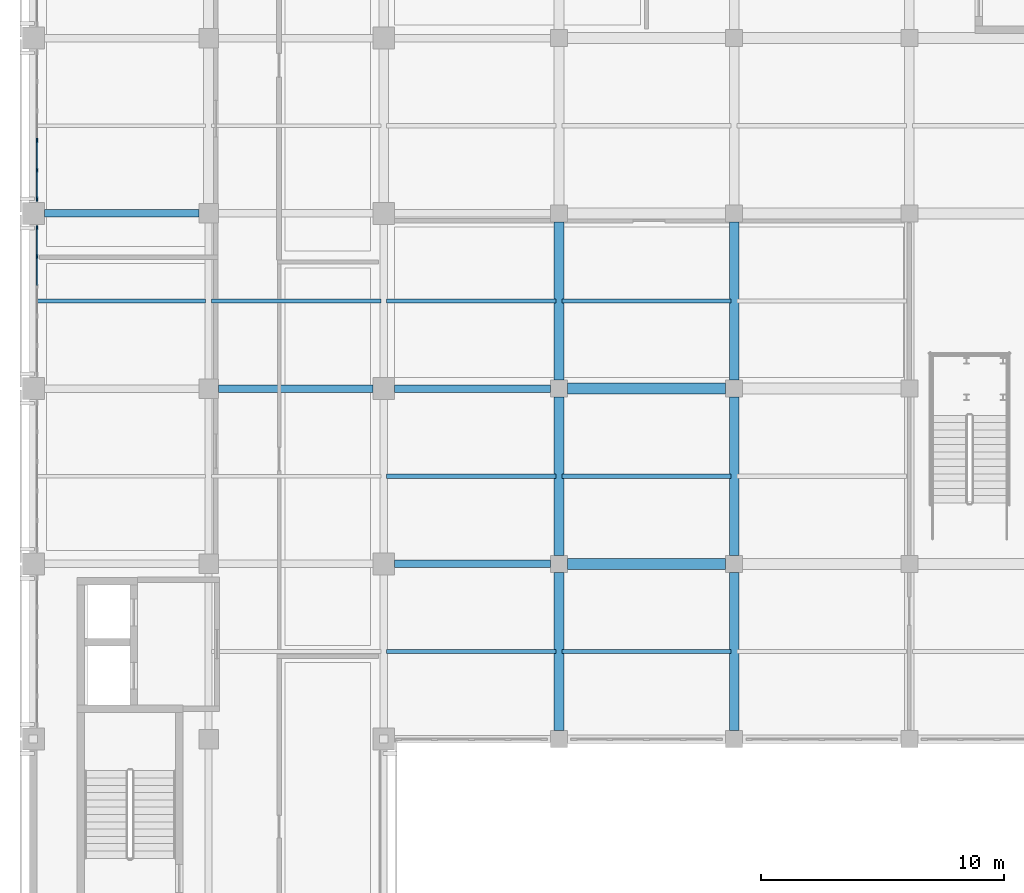
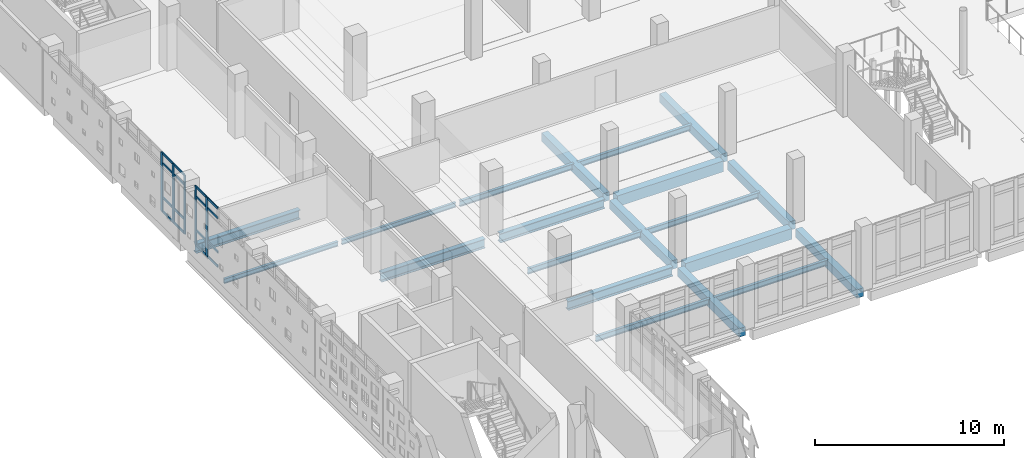
# One storey, part 14 of 62: 21 members, 20 beams, 2 elements without a shape of their own.
"""IFC4 building model written with IfcOpenShell, lengths in metres."""

from ifc_helpers import new_model, si_unit, direction, frame, origin, origin_2d, place, context, subcontext, project, spatial, rectangle, i_section, extrude, material, layer, layer_set, material_profile, profile_set, type_object, element, aggregate, save


model = new_model("IFC4")

# Units and contexts
model_context = context("Model", 3, precision=1e-05, world=origin(), true_north=direction((0.0, 1.0)))
body_context = subcontext(model_context, "Body", "Model", "MODEL_VIEW")
ifc_project = project(units=[si_unit("LENGTHUNIT", "METRE"), si_unit("AREAUNIT", "SQUARE_METRE"), si_unit("VOLUMEUNIT", "CUBIC_METRE"), si_unit("PLANEANGLEUNIT", "RADIAN"), si_unit("MASSUNIT", "GRAM", prefix="KILO")], contexts=[model_context])

# Site, building, storey
site_placement = place(None, origin())
site = spatial("IfcSite", under=ifc_project, at=site_placement, CompositionType="ELEMENT")
building_placement = place(site_placement, origin())
building = spatial("IfcBuilding", under=site, at=building_placement, Name="Valkovuoma Quantum and Materials Research Institute", CompositionType="ELEMENT")
storey_placement = place(building_placement, frame((0.0, 0.0, 8.9599609375)))
storey = spatial("IfcBuildingStorey", under=building, at=storey_placement, Name="L02", CompositionType="ELEMENT", Elevation=8.9599609375)

# Beams
ifc_material_1 = material(Name="Steel S355J2", Category="steel")
ifc_material_profile_1 = material_profile(ifc_material_1, i_section(OverallWidth=0.300048828125, OverallDepth=0.60009765625, WebThickness=0.015380859375, FlangeThickness=0.030029296875, FilletRadius=0.027099609375, at=origin_2d()), Name="Steel S355J2")
ifc_profile_set_1 = profile_set([ifc_material_profile_1], Name="Steel S355J2")
beam_type_1 = type_object("IfcBeamType", Name="Beam-B-HEB600", PredefinedType="BEAM", material=ifc_profile_set_1)
beam_1_placement = place(storey_placement, frame((14.85009765625, 43.199951171875, -0.64990234375), z_axis=(1.0, 0.0, 0.0), x_axis=(0.0, 1.0, 0.0)))
element("IfcBeam", 1, at=beam_1_placement, inside=storey, type_object=beam_type_1, Name="L02 beam X-1024", PredefinedType="BEAM", context=body_context, shape_type="SweptSolid", body=[
    extrude(i_section(OverallWidth=0.300048828125, OverallDepth=0.60009765625, WebThickness=0.015380859375, FlangeThickness=0.030029296875, FilletRadius=0.027099609375, at=origin_2d()), origin(), (0.0, 0.0, 1.0), 6.39990234375),
])
beam_2_placement = place(storey_placement, frame((7.60009765625, 50.39990234375, -0.64990234375), z_axis=(1.0, 0.0, 0.0), x_axis=(0.0, 1.0, 0.0)))
element("IfcBeam", 2, at=beam_2_placement, inside=storey, type_object=beam_type_1, Name="L02 beam X-1035", PredefinedType="BEAM", context=body_context, shape_type="SweptSolid", body=[
    extrude(i_section(OverallWidth=0.300048828125, OverallDepth=0.60009765625, WebThickness=0.015380859375, FlangeThickness=0.030029296875, FilletRadius=0.027099609375, at=origin_2d()), origin(), (0.0, 0.0, 1.0), 6.349853515625),
])
beam_3_placement = place(storey_placement, frame((14.85009765625, 50.39990234375, -0.64990234375), z_axis=(1.0, 0.0, 0.0), x_axis=(0.0, 1.0, 0.0)))
element("IfcBeam", 3, at=beam_3_placement, inside=storey, type_object=beam_type_1, Name="L02 beam X-1036", PredefinedType="BEAM", context=body_context, shape_type="SweptSolid", body=[
    extrude(i_section(OverallWidth=0.300048828125, OverallDepth=0.60009765625, WebThickness=0.015380859375, FlangeThickness=0.030029296875, FilletRadius=0.027099609375, at=origin_2d()), origin(), (0.0, 0.0, 1.0), 6.39990234375),
])
beam_4_placement = place(storey_placement, frame((0.449951171875, 57.60009765625, -0.64990234375), z_axis=(1.0, 0.0, 0.0), x_axis=(0.0, 1.0, 0.0)))
element("IfcBeam", 4, at=beam_4_placement, inside=storey, type_object=beam_type_1, Name="L02 beam X-1045", PredefinedType="BEAM", context=body_context, shape_type="SweptSolid", body=[
    extrude(i_section(OverallWidth=0.300048828125, OverallDepth=0.60009765625, WebThickness=0.015380859375, FlangeThickness=0.030029296875, FilletRadius=0.027099609375, at=origin_2d()), origin(), (0.0, 0.0, 1.0), 6.35009765625),
])
ifc_material_2 = material(Name="Steel S355J2", Category="steel")
ifc_material_profile_2 = material_profile(ifc_material_2, i_section(OverallWidth=0.14990234375, OverallDepth=0.300048828125, WebThickness=0.007080078125, FlangeThickness=0.0107421875, FilletRadius=0.014892578125, at=origin_2d()), Name="Steel S355J2")
ifc_profile_set_2 = profile_set([ifc_material_profile_2], Name="Steel S355J2")
beam_type_2 = type_object("IfcBeamType", Name="Beam-B-JST300", PredefinedType="JOIST", material=ifc_profile_set_2)
for number, where, z_axis, x_axis, name in (
    (5, (0.1201171875, 54.0, -0.5), (1.0, 0.0, 0.0), (0.0, 1.0, 0.0), "L02 floor joist 1330"),
    (6, (7.320068359375, 54.0, -0.5), (1.0, 0.0, 0.0), (0.0, 1.0, 0.0), "L02 floor joist 1331"),
):
    element("IfcBeam", number, at=place(storey_placement, frame(where, z_axis=z_axis, x_axis=x_axis)), inside=storey, type_object=beam_type_2, Name=name, PredefinedType="JOIST", context=body_context, shape_type="SweptSolid", body=[
        extrude(i_section(OverallWidth=0.14990234375, OverallDepth=0.300048828125, WebThickness=0.007080078125, FlangeThickness=0.0107421875, FilletRadius=0.014892578125, at=origin_2d()), origin(), (0.0, 0.0, 1.0), 6.9599609375),
    ])
ifc_material_3 = material(Name="Steel S355J2", Category="steel")
ifc_material_profile_3 = material_profile(ifc_material_3, i_section(OverallWidth=0.169921875, OverallDepth=0.360107421875, WebThickness=0.008056640625, FlangeThickness=0.0126953125, FilletRadius=0.01806640625, at=origin_2d()), Name="Steel S355J2")
ifc_profile_set_3 = profile_set([ifc_material_profile_3], Name="Steel S355J2")
beam_type_3 = type_object("IfcBeamType", Name="Beam-B-JST360", PredefinedType="JOIST", material=ifc_profile_set_3)
for number, where, z_axis, x_axis, name in (
    (7, (14.52001953125, 39.60009765625, -0.530029296875), (1.0, 0.0, 0.0), (0.0, 1.0, 0.0), "L02 floor joist 1309"),
    (8, (21.719970703125, 39.60009765625, -0.530029296875), (1.0, 0.0, 0.0), (0.0, 1.0, 0.0), "L02 floor joist 1310"),
    (9, (14.52001953125, 46.800048828125, -0.530029296875), (1.0, 0.0, 0.0), (0.0, 1.0, 0.0), "L02 floor joist 1321"),
    (10, (21.719970703125, 46.800048828125, -0.530029296875), (1.0, 0.0, 0.0), (0.0, 1.0, 0.0), "L02 floor joist 1322"),
    (11, (14.52001953125, 54.0, -0.530029296875), (1.0, 0.0, 0.0), (0.0, 1.0, 0.0), "L02 floor joist 1332"),
    (12, (21.719970703125, 54.0, -0.530029296875), (1.0, 0.0, 0.0), (0.0, 1.0, 0.0), "L02 floor joist 1333"),
):
    element("IfcBeam", number, at=place(storey_placement, frame(where, z_axis=z_axis, x_axis=x_axis)), inside=storey, type_object=beam_type_3, Name=name, PredefinedType="JOIST", context=body_context, shape_type="SweptSolid", body=[
        extrude(i_section(OverallWidth=0.169921875, OverallDepth=0.360107421875, WebThickness=0.008056640625, FlangeThickness=0.0126953125, FilletRadius=0.01806640625, at=origin_2d()), origin(), (0.0, 0.0, 1.0), 6.9599609375),
    ])
ifc_material_4 = material(Name="Concrete C40/50", Category="concrete")
ifc_material_profile_4 = material_profile(ifc_material_4, rectangle(XDim=0.39990234375, YDim=0.550048828125, at=origin_2d()), Name="Concrete C40/50")
ifc_profile_set_4 = profile_set([ifc_material_profile_4], Name="Concrete C40/50")
beam_type_4 = type_object("IfcBeamType", Name="Beam-B-RC550", PredefinedType="BEAM", material=ifc_profile_set_4)
for number, where, z_axis, x_axis, name in (
    (13, (21.60009765625, 36.35009765625, -0.625), (0.0, 1.0, 0.0), (-1.0, 0.0, 0.0), "L02 beam Y-1168"),
    (14, (21.60009765625, 43.550048828125, -0.625), (0.0, 1.0, 0.0), (-1.0, 0.0, 0.0), "L02 beam Y-1169"),
    (15, (21.60009765625, 50.75, -0.625), (0.0, 1.0, 0.0), (-1.0, 0.0, 0.0), "L02 beam Y-1170"),
    (16, (28.800048828125, 36.35009765625, -0.625), (0.0, 1.0, 0.0), (-1.0, 0.0, 0.0), "L02 beam Y-1178"),
    (17, (28.800048828125, 43.550048828125, -0.625), (0.0, 1.0, 0.0), (-1.0, 0.0, 0.0), "L02 beam Y-1179"),
    (18, (28.800048828125, 50.75, -0.625), (0.0, 1.0, 0.0), (-1.0, 0.0, 0.0), "L02 beam Y-1180"),
):
    element("IfcBeam", number, at=place(storey_placement, frame(where, z_axis=z_axis, x_axis=x_axis)), inside=storey, type_object=beam_type_4, Name=name, PredefinedType="BEAM", context=body_context, shape_type="SweptSolid", body=[
        extrude(rectangle(XDim=0.39990234375, YDim=0.550048828125, at=origin_2d()), origin(), (0.0, 0.0, 1.0), 6.5),
    ])
ifc_material_5 = material(Name="Concrete C40/50", Category="concrete")
ifc_material_profile_5 = material_profile(ifc_material_5, rectangle(XDim=0.449951171875, YDim=0.699951171875, at=origin_2d()), Name="Concrete C40/50")
ifc_profile_set_5 = profile_set([ifc_material_profile_5], Name="Concrete C40/50")
beam_type_5 = type_object("IfcBeamType", Name="Beam-B-RC700", PredefinedType="BEAM", material=ifc_profile_set_5)
for number, where, z_axis, x_axis, name in (
    (19, (21.949951171875, 43.199951171875, -0.699951171875), (1.0, 0.0, 0.0), (0.0, 1.0, 0.0), "L02 beam X-1025"),
    (20, (21.949951171875, 50.39990234375, -0.699951171875), (1.0, 0.0, 0.0), (0.0, 1.0, 0.0), "L02 beam X-1037"),
):
    element("IfcBeam", number, at=place(storey_placement, frame(where, z_axis=z_axis, x_axis=x_axis)), inside=storey, type_object=beam_type_5, Name=name, PredefinedType="BEAM", context=body_context, shape_type="SweptSolid", body=[
        extrude(rectangle(XDim=0.449951171875, YDim=0.699951171875, at=origin_2d()), origin(), (0.0, 0.0, 1.0), 6.5),
    ])

# Curtain wall, members
ifc_material_6 = material(Name="Thermally broken aluminium and triple low-E glazing", Category="aluminium")
ifc_layer = layer(ifc_material_6, 0.219970703125)
ifc_layer_set = layer_set([ifc_layer], Name="Thermally broken aluminium and triple low-E glazing")
curtain_wall_type = type_object("IfcCurtainWallType", Name="CW-CW-01", PredefinedType="NOTDEFINED", material=ifc_layer_set)
curtain_wall_1_placement = place(storey_placement, origin())
curtain_wall_1 = element("IfcCurtainWall", 21, at=curtain_wall_1_placement, inside=storey, type_object=curtain_wall_type, Name="L02 curtain wall 023", PredefinedType="NOTDEFINED")
ifc_material_7 = material(Name="Anodised aluminium 6060-T66", Category="aluminium")
ifc_material_profile_6 = material_profile(ifc_material_7, rectangle(XDim=0.06494140625, YDim=0.179931640625, at=origin_2d()), Name="Anodised aluminium 6060-T66")
ifc_profile_set_6 = profile_set([ifc_material_profile_6], Name="Anodised aluminium 6060-T66")
member_type_1 = type_object("IfcMemberType", Name="CWMull-CWM-01", PredefinedType="MULLION", material=ifc_profile_set_6)
member_1_placement = place(storey_placement, frame((0.14990234375, 55.82568359375, 0.0), z_axis=(0.0, 0.0, 1.0), x_axis=(-1.0, 0.0, 0.0)))
member_1 = element("IfcMember", 22, at=member_1_placement, type_object=member_type_1, Name="CW-01 mullion 5", PredefinedType="MULLION", context=body_context, shape_type="SweptSolid", body=[
    extrude(rectangle(XDim=0.06494140625, YDim=0.179931640625, at=origin_2d()), origin(), (0.0, 0.0, 1.0), 3.81005859375),
])
member_2_placement = place(storey_placement, frame((0.14990234375, 57.010498046875, 0.0), z_axis=(0.0, 0.0, 1.0), x_axis=(-1.0, 0.0, 0.0)))
member_2 = element("IfcMember", 23, at=member_2_placement, type_object=member_type_1, Name="CW-01 mullion 6", PredefinedType="MULLION", context=body_context, shape_type="SweptSolid", body=[
    extrude(rectangle(XDim=0.06494140625, YDim=0.179931640625, at=origin_2d()), origin(), (0.0, 0.0, 1.0), 3.81005859375),
])

curtain_wall_2_placement = place(storey_placement, origin())
curtain_wall_2 = element("IfcCurtainWall", 24, at=curtain_wall_2_placement, inside=storey, type_object=curtain_wall_type, Name="L02 curtain wall 024", PredefinedType="NOTDEFINED")
member_3_placement = place(storey_placement, frame((0.14990234375, 58.189697265625, 0.0), z_axis=(0.0, 0.0, 1.0), x_axis=(-1.0, 0.0, 0.0)))
member_3 = element("IfcMember", 25, at=member_3_placement, type_object=member_type_1, Name="CW-01 mullion 1", PredefinedType="MULLION", context=body_context, shape_type="SweptSolid", body=[
    extrude(rectangle(XDim=0.06494140625, YDim=0.179931640625, at=origin_2d()), origin(), (0.0, 0.0, 1.0), 3.81005859375),
])
member_4_placement = place(storey_placement, frame((0.14990234375, 59.374267578125, 0.0), z_axis=(0.0, 0.0, 1.0), x_axis=(-1.0, 0.0, 0.0)))
member_4 = element("IfcMember", 26, at=member_4_placement, type_object=member_type_1, Name="CW-01 mullion 2", PredefinedType="MULLION", context=body_context, shape_type="SweptSolid", body=[
    extrude(rectangle(XDim=0.06494140625, YDim=0.179931640625, at=origin_2d()), origin(), (0.0, 0.0, 1.0), 3.81005859375),
])
member_5_placement = place(storey_placement, frame((0.14990234375, 60.59130859375, 0.0), z_axis=(0.0, 0.0, 1.0), x_axis=(-1.0, 0.0, 0.0)))
member_5 = element("IfcMember", 27, at=member_5_placement, type_object=member_type_1, Name="CW-01 mullion 3", PredefinedType="MULLION", context=body_context, shape_type="SweptSolid", body=[
    extrude(rectangle(XDim=0.06494140625, YDim=0.179931640625, at=origin_2d()), origin(), (0.0, 0.0, 1.0), 3.81005859375),
])

# Member
ifc_material_8 = material(Name="Anodised aluminium 6060-T66", Category="aluminium")
ifc_material_profile_7 = material_profile(ifc_material_8, rectangle(XDim=0.06494140625, YDim=0.139892578125, at=origin_2d()), Name="Anodised aluminium 6060-T66")
ifc_profile_set_7 = profile_set([ifc_material_profile_7], Name="Anodised aluminium 6060-T66")
member_type_2 = type_object("IfcMemberType", Name="CWTran-CWT-01", PredefinedType="USERDEFINED", material=ifc_profile_set_7)
member_6_placement = place(storey_placement, frame((0.14990234375, 54.64111328125, 0.032470703125), z_axis=(0.0, 1.0, 0.0), x_axis=(-1.0, 0.0, 0.0)))
member_6 = element("IfcMember", 28, at=member_6_placement, type_object=member_type_2, Name="CW-01 transom 4.1", ObjectType="TRANSOM", PredefinedType="USERDEFINED", context=body_context, shape_type="SweptSolid", body=[
    extrude(rectangle(XDim=0.06494140625, YDim=0.139892578125, at=origin_2d()), origin(), (0.0, 0.0, 1.0), 1.152099609375),
])

member_7_placement = place(storey_placement, frame((0.14990234375, 54.64111328125, 0.949951171875), z_axis=(0.0, 1.0, 0.0), x_axis=(-1.0, 0.0, 0.0)))
member_7 = element("IfcMember", 29, at=member_7_placement, type_object=member_type_2, Name="CW-01 transom 4.2", ObjectType="TRANSOM", PredefinedType="USERDEFINED", context=body_context, shape_type="SweptSolid", body=[
    extrude(rectangle(XDim=0.06494140625, YDim=0.139892578125, at=origin_2d()), origin(), (0.0, 0.0, 1.0), 1.152099609375),
])

member_8_placement = place(storey_placement, frame((0.14990234375, 54.64111328125, 3.16015625), z_axis=(0.0, 1.0, 0.0), x_axis=(-1.0, 0.0, 0.0)))
member_8 = element("IfcMember", 30, at=member_8_placement, type_object=member_type_2, Name="CW-01 transom 4.3", ObjectType="TRANSOM", PredefinedType="USERDEFINED", context=body_context, shape_type="SweptSolid", body=[
    extrude(rectangle(XDim=0.06494140625, YDim=0.139892578125, at=origin_2d()), origin(), (0.0, 0.0, 1.0), 1.152099609375),
])

member_9_placement = place(storey_placement, frame((0.14990234375, 54.64111328125, 3.777587890625), z_axis=(0.0, 1.0, 0.0), x_axis=(-1.0, 0.0, 0.0)))
member_9 = element("IfcMember", 31, at=member_9_placement, type_object=member_type_2, Name="CW-01 transom 4.4", ObjectType="TRANSOM", PredefinedType="USERDEFINED", context=body_context, shape_type="SweptSolid", body=[
    extrude(rectangle(XDim=0.06494140625, YDim=0.139892578125, at=origin_2d()), origin(), (0.0, 0.0, 1.0), 1.152099609375),
])

member_10_placement = place(storey_placement, frame((0.14990234375, 55.858154296875, 0.032470703125), z_axis=(0.0, 1.0, 0.0), x_axis=(-1.0, 0.0, 0.0)))
member_10 = element("IfcMember", 32, at=member_10_placement, type_object=member_type_2, Name="CW-01 transom 5.1", ObjectType="TRANSOM", PredefinedType="USERDEFINED", context=body_context, shape_type="SweptSolid", body=[
    extrude(rectangle(XDim=0.06494140625, YDim=0.139892578125, at=origin_2d()), origin(), (0.0, 0.0, 1.0), 1.11962890625),
])

member_11_placement = place(storey_placement, frame((0.14990234375, 55.858154296875, 0.949951171875), z_axis=(0.0, 1.0, 0.0), x_axis=(-1.0, 0.0, 0.0)))
member_11 = element("IfcMember", 33, at=member_11_placement, type_object=member_type_2, Name="CW-01 transom 5.2", ObjectType="TRANSOM", PredefinedType="USERDEFINED", context=body_context, shape_type="SweptSolid", body=[
    extrude(rectangle(XDim=0.06494140625, YDim=0.139892578125, at=origin_2d()), origin(), (0.0, 0.0, 1.0), 1.11962890625),
])

member_12_placement = place(storey_placement, frame((0.14990234375, 55.858154296875, 3.16015625), z_axis=(0.0, 1.0, 0.0), x_axis=(-1.0, 0.0, 0.0)))
member_12 = element("IfcMember", 34, at=member_12_placement, type_object=member_type_2, Name="CW-01 transom 5.3", ObjectType="TRANSOM", PredefinedType="USERDEFINED", context=body_context, shape_type="SweptSolid", body=[
    extrude(rectangle(XDim=0.06494140625, YDim=0.139892578125, at=origin_2d()), origin(), (0.0, 0.0, 1.0), 1.11962890625),
])

member_13_placement = place(storey_placement, frame((0.14990234375, 55.858154296875, 3.777587890625), z_axis=(0.0, 1.0, 0.0), x_axis=(-1.0, 0.0, 0.0)))
member_13 = element("IfcMember", 35, at=member_13_placement, type_object=member_type_2, Name="CW-01 transom 5.4", ObjectType="TRANSOM", PredefinedType="USERDEFINED", context=body_context, shape_type="SweptSolid", body=[
    extrude(rectangle(XDim=0.06494140625, YDim=0.139892578125, at=origin_2d()), origin(), (0.0, 0.0, 1.0), 1.11962890625),
])

aggregate(curtain_wall_1, [member_1, member_2, member_6, member_7, member_8, member_9, member_10, member_11, member_12, member_13])

member_14_placement = place(storey_placement, frame((0.14990234375, 58.22216796875, 0.032470703125), z_axis=(0.0, 1.0, 0.0), x_axis=(-1.0, 0.0, 0.0)))
member_14 = element("IfcMember", 36, at=member_14_placement, type_object=member_type_2, Name="CW-01 transom 1.1", ObjectType="TRANSOM", PredefinedType="USERDEFINED", context=body_context, shape_type="SweptSolid", body=[
    extrude(rectangle(XDim=0.06494140625, YDim=0.139892578125, at=origin_2d()), origin(), (0.0, 0.0, 1.0), 1.11962890625),
])

member_15_placement = place(storey_placement, frame((0.14990234375, 58.22216796875, 0.949951171875), z_axis=(0.0, 1.0, 0.0), x_axis=(-1.0, 0.0, 0.0)))
member_15 = element("IfcMember", 37, at=member_15_placement, type_object=member_type_2, Name="CW-01 transom 1.2", ObjectType="TRANSOM", PredefinedType="USERDEFINED", context=body_context, shape_type="SweptSolid", body=[
    extrude(rectangle(XDim=0.06494140625, YDim=0.139892578125, at=origin_2d()), origin(), (0.0, 0.0, 1.0), 1.11962890625),
])

member_16_placement = place(storey_placement, frame((0.14990234375, 58.22216796875, 3.16015625), z_axis=(0.0, 1.0, 0.0), x_axis=(-1.0, 0.0, 0.0)))
member_16 = element("IfcMember", 38, at=member_16_placement, type_object=member_type_2, Name="CW-01 transom 1.3", ObjectType="TRANSOM", PredefinedType="USERDEFINED", context=body_context, shape_type="SweptSolid", body=[
    extrude(rectangle(XDim=0.06494140625, YDim=0.139892578125, at=origin_2d()), origin(), (0.0, 0.0, 1.0), 1.11962890625),
])

member_17_placement = place(storey_placement, frame((0.14990234375, 58.22216796875, 3.777587890625), z_axis=(0.0, 1.0, 0.0), x_axis=(-1.0, 0.0, 0.0)))
member_17 = element("IfcMember", 39, at=member_17_placement, type_object=member_type_2, Name="CW-01 transom 1.4", ObjectType="TRANSOM", PredefinedType="USERDEFINED", context=body_context, shape_type="SweptSolid", body=[
    extrude(rectangle(XDim=0.06494140625, YDim=0.139892578125, at=origin_2d()), origin(), (0.0, 0.0, 1.0), 1.11962890625),
])

member_18_placement = place(storey_placement, frame((0.14990234375, 59.40673828125, 0.032470703125), z_axis=(0.0, 1.0, 0.0), x_axis=(-1.0, 0.0, 0.0)))
member_18 = element("IfcMember", 40, at=member_18_placement, type_object=member_type_2, Name="CW-01 transom 2.1", ObjectType="TRANSOM", PredefinedType="USERDEFINED", context=body_context, shape_type="SweptSolid", body=[
    extrude(rectangle(XDim=0.06494140625, YDim=0.139892578125, at=origin_2d()), origin(), (0.0, 0.0, 1.0), 1.152099609375),
])

member_19_placement = place(storey_placement, frame((0.14990234375, 59.40673828125, 0.949951171875), z_axis=(0.0, 1.0, 0.0), x_axis=(-1.0, 0.0, 0.0)))
member_19 = element("IfcMember", 41, at=member_19_placement, type_object=member_type_2, Name="CW-01 transom 2.2", ObjectType="TRANSOM", PredefinedType="USERDEFINED", context=body_context, shape_type="SweptSolid", body=[
    extrude(rectangle(XDim=0.06494140625, YDim=0.139892578125, at=origin_2d()), origin(), (0.0, 0.0, 1.0), 1.152099609375),
])

member_20_placement = place(storey_placement, frame((0.14990234375, 59.40673828125, 3.16015625), z_axis=(0.0, 1.0, 0.0), x_axis=(-1.0, 0.0, 0.0)))
member_20 = element("IfcMember", 42, at=member_20_placement, type_object=member_type_2, Name="CW-01 transom 2.3", ObjectType="TRANSOM", PredefinedType="USERDEFINED", context=body_context, shape_type="SweptSolid", body=[
    extrude(rectangle(XDim=0.06494140625, YDim=0.139892578125, at=origin_2d()), origin(), (0.0, 0.0, 1.0), 1.152099609375),
])

member_21_placement = place(storey_placement, frame((0.14990234375, 59.40673828125, 3.777587890625), z_axis=(0.0, 1.0, 0.0), x_axis=(-1.0, 0.0, 0.0)))
member_21 = element("IfcMember", 43, at=member_21_placement, type_object=member_type_2, Name="CW-01 transom 2.4", ObjectType="TRANSOM", PredefinedType="USERDEFINED", context=body_context, shape_type="SweptSolid", body=[
    extrude(rectangle(XDim=0.06494140625, YDim=0.139892578125, at=origin_2d()), origin(), (0.0, 0.0, 1.0), 1.152099609375),
])

aggregate(curtain_wall_2, [member_3, member_4, member_5, member_14, member_15, member_16, member_17, member_18, member_19, member_20, member_21])

save(model, "model.ifc")
